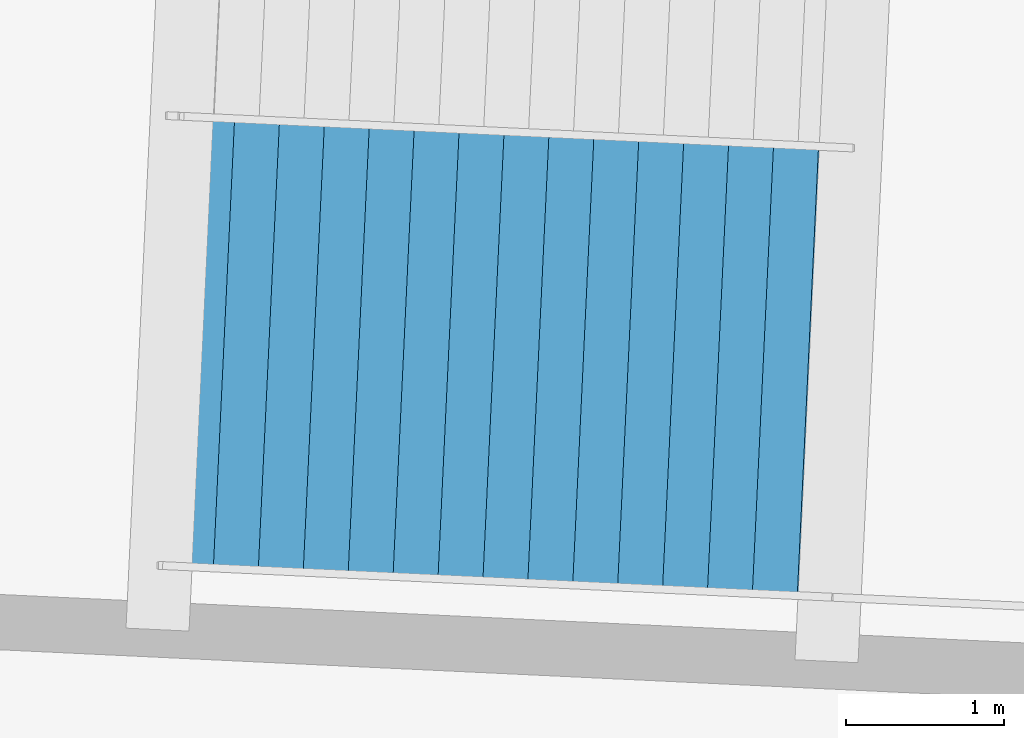
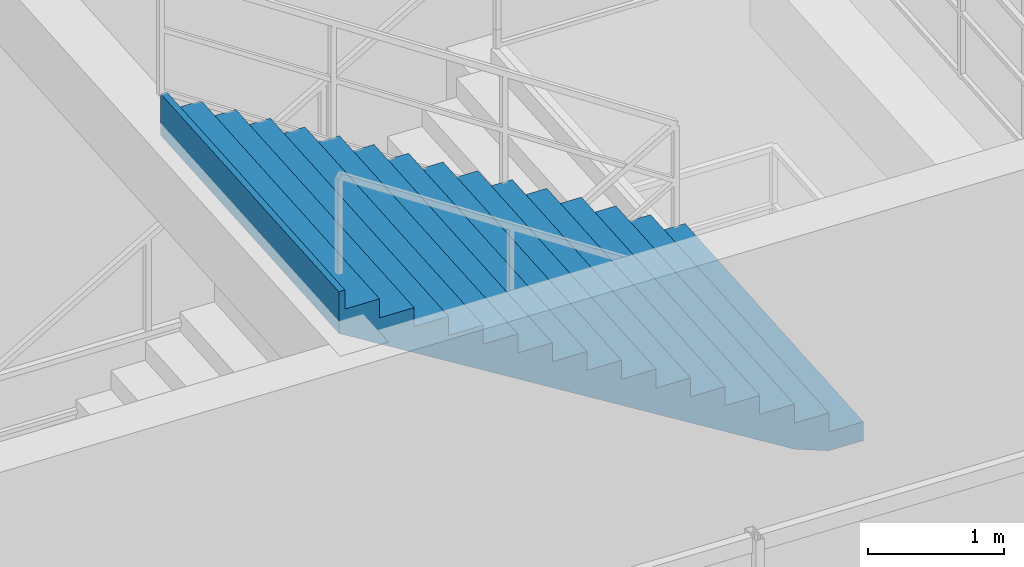
# One storey, part 146 of 186: 1 stair flight, 1 element without a shape of its own.
"""IFC4 building model written with IfcOpenShell, lengths in metres."""

from ifc_helpers import new_model, si_unit, direction, frame, origin, place, context, subcontext, project, spatial, polygons, material, type_object, element, aggregate, save


model = new_model("IFC4")

# Units and contexts
model_context = context("Model", 3, precision=1e-05, world=origin(), true_north=direction((0.0, 1.0)))
body_context = subcontext(model_context, "Body", "Model", "MODEL_VIEW")
ifc_project = project(units=[si_unit("LENGTHUNIT", "METRE"), si_unit("AREAUNIT", "SQUARE_METRE"), si_unit("VOLUMEUNIT", "CUBIC_METRE"), si_unit("PLANEANGLEUNIT", "RADIAN"), si_unit("MASSUNIT", "GRAM", prefix="KILO")], contexts=[model_context])

# Site, building, storey
site_placement = place(None, origin())
site = spatial("IfcSite", under=ifc_project, at=site_placement, CompositionType="ELEMENT")
building_placement = place(site_placement, origin())
building = spatial("IfcBuilding", under=site, at=building_placement, Name="Kazemori Nagisa Stadium", CompositionType="ELEMENT")
storey_placement = place(building_placement, frame((0.0, 0.0, 20.39990234375)))
storey = spatial("IfcBuildingStorey", under=building, at=storey_placement, Name="L04", CompositionType="ELEMENT", Elevation=20.39990234375)

# Stair, stair flight
ifc_material = material(Name="Concrete C36/45 (Fc36)", Category="concrete")
stair_type = type_object("IfcStairType", Name="Stair_CORE_32", PredefinedType="TWO_STRAIGHT_RUN_STAIR", material=ifc_material)
stair_placement = place(storey_placement, origin())
stair = element("IfcStair", 1, at=stair_placement, inside=storey, type_object=stair_type, Name="Exit stair ST12 L04", PredefinedType="TWO_STRAIGHT_RUN_STAIR")
stair_flight_type = type_object("IfcStairFlightType", Name="Flight_CORE_16", PredefinedType="STRAIGHT", material=ifc_material)
stair_flight_placement = place(storey_placement, frame((111.443115234375, 20.96044921875, 2.72021484375), z_axis=(0.0, 0.0, 1.0), x_axis=(-0.99888410244, 0.047228697771, 0.0)))
stair_flight = element("IfcStairFlight", 2, at=stair_flight_placement, type_object=stair_flight_type, Name="Exit stair ST12 L04 flight 2", NumberOfRisers=16, NumberOfTreads=15, PredefinedType="STRAIGHT", RiserHeight=0.17, TreadLength=0.285, context=body_context, shape_type="Tessellation", body=[
    polygons([(0.0, -1.425048828125, 0.0), (0.0, -1.425048828125, 0.169921875), (0.284912109375, -1.425048828125, 0.169921875), (0.284912109375, -1.425048828125, 0.340087890625), (0.570068359375, -1.425048828125, 0.340087890625), (0.570068359375, -1.425048828125, 0.510009765625), (0.85498046875, -1.425048828125, 0.510009765625), (0.85498046875, -1.425048828125, 0.679931640625), (1.139892578125, -1.425048828125, 0.679931640625), (1.139892578125, -1.425048828125, 0.85009765625), (1.425048828125, -1.425048828125, 0.85009765625), (1.425048828125, -1.425048828125, 1.02001953125), (1.7099609375, -1.425048828125, 1.02001953125), (1.7099609375, -1.425048828125, 1.18994140625), (1.9951171875, -1.425048828125, 1.18994140625), (1.9951171875, -1.425048828125, 1.360107421875), (2.280029296875, -1.425048828125, 1.360107421875), (2.280029296875, -1.425048828125, 1.530029296875), (2.56494140625, -1.425048828125, 1.530029296875), (2.56494140625, -1.425048828125, 1.699951171875), (2.85009765625, -1.425048828125, 1.699951171875), (2.85009765625, -1.425048828125, 1.8701171875), (3.135009765625, -1.425048828125, 1.8701171875), (3.135009765625, -1.425048828125, 2.0400390625), (3.419921875, -1.425048828125, 2.0400390625), (3.419921875, -1.425048828125, 2.2099609375), (3.705078125, -1.425048828125, 2.2099609375), (3.705078125, -1.425048828125, 2.3798828125), (3.989990234375, -1.425048828125, 2.3798828125), (3.989990234375, -1.425048828125, 2.550048828125), (4.27490234375, -1.425048828125, 2.550048828125), (4.27490234375, -1.425048828125, 2.719970703125), (4.324951171875, -1.425048828125, 2.719970703125), (4.324951171875, -1.425048828125, 2.346923828125), (4.27490234375, -1.425048828125, 2.317138671875), (3.989990234375, -1.425048828125, 2.147216796875), (3.705078125, -1.425048828125, 1.977294921875), (3.419921875, -1.425048828125, 1.80712890625), (3.135009765625, -1.425048828125, 1.63720703125), (2.85009765625, -1.425048828125, 1.46728515625), (2.56494140625, -1.425048828125, 1.297119140625), (2.280029296875, -1.425048828125, 1.127197265625), (1.9951171875, -1.425048828125, 0.957275390625), (1.7099609375, -1.425048828125, 0.787109375), (1.425048828125, -1.425048828125, 0.6171875), (1.139892578125, -1.425048828125, 0.447265625), (0.85498046875, -1.425048828125, 0.277099609375), (0.570068359375, -1.425048828125, 0.107177734375), (0.284912109375, -1.425048828125, 0.0), (0.0, -0.08544921875, 0.0), (0.0, -0.08544921875, 0.169921875), (0.284912109375, -0.08544921875, 0.169921875), (0.284912109375, -0.08544921875, 0.340087890625), (0.570068359375, -0.08544921875, 0.340087890625), (0.570068359375, -0.08544921875, 0.510009765625), (0.85498046875, -0.08544921875, 0.510009765625), (0.85498046875, -0.08544921875, 0.679931640625), (1.139892578125, -0.08544921875, 0.679931640625), (1.139892578125, -0.08544921875, 0.85009765625), (1.425048828125, -0.08544921875, 0.85009765625), (1.425048828125, -0.08544921875, 1.02001953125), (1.7099609375, -0.08544921875, 1.02001953125), (1.7099609375, -0.08544921875, 1.18994140625), (1.9951171875, -0.08544921875, 1.18994140625), (1.9951171875, -0.08544921875, 1.360107421875), (2.280029296875, -0.08544921875, 1.360107421875), (2.280029296875, -0.08544921875, 1.530029296875), (2.56494140625, -0.08544921875, 1.530029296875), (2.56494140625, -0.08544921875, 1.699951171875), (2.85009765625, -0.08544921875, 1.699951171875), (2.85009765625, -0.08544921875, 1.8701171875), (3.135009765625, -0.08544921875, 1.8701171875), (3.135009765625, -0.08544921875, 2.0400390625), (3.419921875, -0.08544921875, 2.0400390625), (3.419921875, -0.08544921875, 2.2099609375), (3.705078125, -0.08544921875, 2.2099609375), (3.705078125, -0.08544921875, 2.3798828125), (3.989990234375, -0.08544921875, 2.3798828125), (3.989990234375, -0.08544921875, 2.550048828125), (4.27490234375, -0.08544921875, 2.550048828125), (4.27490234375, -0.08544921875, 2.719970703125), (4.324951171875, -0.08544921875, 2.719970703125), (4.324951171875, -0.08544921875, 2.346923828125), (4.27490234375, -0.08544921875, 2.317138671875), (3.989990234375, -0.08544921875, 2.147216796875), (3.705078125, -0.08544921875, 1.977294921875), (3.419921875, -0.08544921875, 1.80712890625), (3.135009765625, -0.08544921875, 1.63720703125), (2.85009765625, -0.08544921875, 1.46728515625), (2.56494140625, -0.08544921875, 1.297119140625), (2.280029296875, -0.08544921875, 1.127197265625), (1.9951171875, -0.08544921875, 0.957275390625), (1.7099609375, -0.08544921875, 0.787109375), (1.425048828125, -0.08544921875, 0.6171875), (1.139892578125, -0.08544921875, 0.447265625), (0.85498046875, -0.08544921875, 0.277099609375), (0.570068359375, -0.08544921875, 0.107177734375), (0.284912109375, -0.08544921875, 0.0), (0.0, 0.0, 0.0), (0.0, 0.0, 0.169921875), (0.284912109375, 0.0, 0.169921875), (0.284912109375, 0.0, 0.340087890625), (0.570068359375, 0.0, 0.340087890625), (0.570068359375, 0.0, 0.510009765625), (0.85498046875, 0.0, 0.510009765625), (0.85498046875, 0.0, 0.679931640625), (1.139892578125, 0.0, 0.679931640625), (1.139892578125, 0.0, 0.85009765625), (1.425048828125, 0.0, 0.85009765625), (1.425048828125, 0.0, 1.02001953125), (1.7099609375, 0.0, 1.02001953125), (1.7099609375, 0.0, 1.18994140625), (1.9951171875, 0.0, 1.18994140625), (1.9951171875, 0.0, 1.360107421875), (2.280029296875, 0.0, 1.360107421875), (2.280029296875, 0.0, 1.530029296875), (2.56494140625, 0.0, 1.530029296875), (2.56494140625, 0.0, 1.699951171875), (2.85009765625, 0.0, 1.699951171875), (2.85009765625, 0.0, 1.8701171875), (3.135009765625, 0.0, 1.8701171875), (3.135009765625, 0.0, 2.0400390625), (3.419921875, 0.0, 2.0400390625), (3.419921875, 0.0, 2.2099609375), (3.705078125, 0.0, 2.2099609375), (3.705078125, 0.0, 2.3798828125), (3.989990234375, 0.0, 2.3798828125), (3.989990234375, 0.0, 2.550048828125), (4.27490234375, 0.0, 2.550048828125), (4.27490234375, 0.0, 2.719970703125), (4.324951171875, 0.0, 2.719970703125), (4.324951171875, 0.0, 2.346923828125), (4.27490234375, 0.0, 2.317138671875), (3.989990234375, 0.0, 2.147216796875), (3.705078125, 0.0, 1.977294921875), (3.419921875, 0.0, 1.80712890625), (3.135009765625, 0.0, 1.63720703125), (2.85009765625, 0.0, 1.46728515625), (2.56494140625, 0.0, 1.297119140625), (2.280029296875, 0.0, 1.127197265625), (1.9951171875, 0.0, 0.957275390625), (1.7099609375, 0.0, 0.787109375), (1.425048828125, 0.0, 0.6171875), (1.139892578125, 0.0, 0.447265625), (0.85498046875, 0.0, 0.277099609375), (0.570068359375, 0.0, 0.107177734375), (0.284912109375, 0.0, 0.0), (0.0, 0.08544921875, 0.0), (0.0, 0.08544921875, 0.169921875), (0.284912109375, 0.08544921875, 0.169921875), (0.284912109375, 0.08544921875, 0.340087890625), (0.570068359375, 0.08544921875, 0.340087890625), (0.570068359375, 0.08544921875, 0.510009765625), (0.85498046875, 0.08544921875, 0.510009765625), (0.85498046875, 0.08544921875, 0.679931640625), (1.139892578125, 0.08544921875, 0.679931640625), (1.139892578125, 0.08544921875, 0.85009765625), (1.425048828125, 0.08544921875, 0.85009765625), (1.425048828125, 0.08544921875, 1.02001953125), (1.7099609375, 0.08544921875, 1.02001953125), (1.7099609375, 0.08544921875, 1.18994140625), (1.9951171875, 0.08544921875, 1.18994140625), (1.9951171875, 0.08544921875, 1.360107421875), (2.280029296875, 0.08544921875, 1.360107421875), (2.280029296875, 0.08544921875, 1.530029296875), (2.56494140625, 0.08544921875, 1.530029296875), (2.56494140625, 0.08544921875, 1.699951171875), (2.85009765625, 0.08544921875, 1.699951171875), (2.85009765625, 0.08544921875, 1.8701171875), (3.135009765625, 0.08544921875, 1.8701171875), (3.135009765625, 0.08544921875, 2.0400390625), (3.419921875, 0.08544921875, 2.0400390625), (3.419921875, 0.08544921875, 2.2099609375), (3.705078125, 0.08544921875, 2.2099609375), (3.705078125, 0.08544921875, 2.3798828125), (3.989990234375, 0.08544921875, 2.3798828125), (3.989990234375, 0.08544921875, 2.550048828125), (4.27490234375, 0.08544921875, 2.550048828125), (4.27490234375, 0.08544921875, 2.719970703125), (4.324951171875, 0.08544921875, 2.719970703125), (4.324951171875, 0.08544921875, 2.346923828125), (4.27490234375, 0.08544921875, 2.317138671875), (3.989990234375, 0.08544921875, 2.147216796875), (3.705078125, 0.08544921875, 1.977294921875), (3.419921875, 0.08544921875, 1.80712890625), (3.135009765625, 0.08544921875, 1.63720703125), (2.85009765625, 0.08544921875, 1.46728515625), (2.56494140625, 0.08544921875, 1.297119140625), (2.280029296875, 0.08544921875, 1.127197265625), (1.9951171875, 0.08544921875, 0.957275390625), (1.7099609375, 0.08544921875, 0.787109375), (1.425048828125, 0.08544921875, 0.6171875), (1.139892578125, 0.08544921875, 0.447265625), (0.85498046875, 0.08544921875, 0.277099609375), (0.570068359375, 0.08544921875, 0.107177734375), (0.284912109375, 0.08544921875, 0.0), (0.0, 1.425048828125, 0.0), (0.0, 1.425048828125, 0.169921875), (0.284912109375, 1.425048828125, 0.169921875), (0.284912109375, 1.425048828125, 0.340087890625), (0.570068359375, 1.425048828125, 0.340087890625), (0.570068359375, 1.425048828125, 0.510009765625), (0.85498046875, 1.425048828125, 0.510009765625), (0.85498046875, 1.425048828125, 0.679931640625), (1.139892578125, 1.425048828125, 0.679931640625), (1.139892578125, 1.425048828125, 0.85009765625), (1.425048828125, 1.425048828125, 0.85009765625), (1.425048828125, 1.425048828125, 1.02001953125), (1.7099609375, 1.425048828125, 1.02001953125), (1.7099609375, 1.425048828125, 1.18994140625), (1.9951171875, 1.425048828125, 1.18994140625), (1.9951171875, 1.425048828125, 1.360107421875), (2.280029296875, 1.425048828125, 1.360107421875), (2.280029296875, 1.425048828125, 1.530029296875), (2.56494140625, 1.425048828125, 1.530029296875), (2.56494140625, 1.425048828125, 1.699951171875), (2.85009765625, 1.425048828125, 1.699951171875), (2.85009765625, 1.425048828125, 1.8701171875), (3.135009765625, 1.425048828125, 1.8701171875), (3.135009765625, 1.425048828125, 2.0400390625), (3.419921875, 1.425048828125, 2.0400390625), (3.419921875, 1.425048828125, 2.2099609375), (3.705078125, 1.425048828125, 2.2099609375), (3.705078125, 1.425048828125, 2.3798828125), (3.989990234375, 1.425048828125, 2.3798828125), (3.989990234375, 1.425048828125, 2.550048828125), (4.27490234375, 1.425048828125, 2.550048828125), (4.27490234375, 1.425048828125, 2.719970703125), (4.324951171875, 1.425048828125, 2.719970703125), (4.324951171875, 1.425048828125, 2.346923828125), (4.27490234375, 1.425048828125, 2.317138671875), (3.989990234375, 1.425048828125, 2.147216796875), (3.705078125, 1.425048828125, 1.977294921875), (3.419921875, 1.425048828125, 1.80712890625), (3.135009765625, 1.425048828125, 1.63720703125), (2.85009765625, 1.425048828125, 1.46728515625), (2.56494140625, 1.425048828125, 1.297119140625), (2.280029296875, 1.425048828125, 1.127197265625), (1.9951171875, 1.425048828125, 0.957275390625), (1.7099609375, 1.425048828125, 0.787109375), (1.425048828125, 1.425048828125, 0.6171875), (1.139892578125, 1.425048828125, 0.447265625), (0.85498046875, 1.425048828125, 0.277099609375), (0.570068359375, 1.425048828125, 0.107177734375), (0.284912109375, 1.425048828125, 0.0)], [[[1, 2, 51]], [[1, 51, 50]], [[2, 3, 52]], [[2, 52, 51]], [[3, 4, 53]], [[3, 53, 52]], [[4, 5, 54]], [[4, 54, 53]], [[5, 6, 55]], [[5, 55, 54]], [[6, 7, 56]], [[6, 56, 55]], [[7, 8, 57]], [[7, 57, 56]], [[8, 9, 58]], [[8, 58, 57]], [[9, 10, 59]], [[9, 59, 58]], [[10, 11, 60]], [[10, 60, 59]], [[11, 12, 61]], [[11, 61, 60]], [[12, 13, 62]], [[12, 62, 61]], [[13, 14, 63]], [[13, 63, 62]], [[14, 15, 64]], [[14, 64, 63]], [[15, 16, 65]], [[15, 65, 64]], [[16, 17, 66]], [[16, 66, 65]], [[17, 18, 67]], [[17, 67, 66]], [[18, 19, 68]], [[18, 68, 67]], [[19, 20, 69]], [[19, 69, 68]], [[20, 21, 70]], [[20, 70, 69]], [[21, 22, 71]], [[21, 71, 70]], [[22, 23, 72]], [[22, 72, 71]], [[23, 24, 73]], [[23, 73, 72]], [[24, 25, 74]], [[24, 74, 73]], [[25, 26, 75]], [[25, 75, 74]], [[26, 27, 76]], [[26, 76, 75]], [[27, 28, 77]], [[27, 77, 76]], [[28, 29, 78]], [[28, 78, 77]], [[29, 30, 79]], [[29, 79, 78]], [[30, 31, 80]], [[30, 80, 79]], [[31, 32, 81]], [[31, 81, 80]], [[32, 33, 82]], [[32, 82, 81]], [[33, 34, 83]], [[33, 83, 82]], [[34, 35, 84]], [[34, 84, 83]], [[35, 36, 85]], [[35, 85, 84]], [[36, 37, 86]], [[36, 86, 85]], [[37, 38, 87]], [[37, 87, 86]], [[38, 39, 88]], [[38, 88, 87]], [[39, 40, 89]], [[39, 89, 88]], [[40, 41, 90]], [[40, 90, 89]], [[41, 42, 91]], [[41, 91, 90]], [[42, 43, 92]], [[42, 92, 91]], [[43, 44, 93]], [[43, 93, 92]], [[44, 45, 94]], [[44, 94, 93]], [[45, 46, 95]], [[45, 95, 94]], [[46, 47, 96]], [[46, 96, 95]], [[47, 48, 97]], [[47, 97, 96]], [[48, 49, 98]], [[48, 98, 97]], [[49, 1, 50]], [[49, 50, 98]], [[50, 51, 100]], [[50, 100, 99]], [[51, 52, 101]], [[51, 101, 100]], [[52, 53, 102]], [[52, 102, 101]], [[53, 54, 103]], [[53, 103, 102]], [[54, 55, 104]], [[54, 104, 103]], [[55, 56, 105]], [[55, 105, 104]], [[56, 57, 106]], [[56, 106, 105]], [[57, 58, 107]], [[57, 107, 106]], [[58, 59, 108]], [[58, 108, 107]], [[59, 60, 109]], [[59, 109, 108]], [[60, 61, 110]], [[60, 110, 109]], [[61, 62, 111]], [[61, 111, 110]], [[62, 63, 112]], [[62, 112, 111]], [[63, 64, 113]], [[63, 113, 112]], [[64, 65, 114]], [[64, 114, 113]], [[65, 66, 115]], [[65, 115, 114]], [[66, 67, 116]], [[66, 116, 115]], [[67, 68, 117]], [[67, 117, 116]], [[68, 69, 118]], [[68, 118, 117]], [[69, 70, 119]], [[69, 119, 118]], [[70, 71, 120]], [[70, 120, 119]], [[71, 72, 121]], [[71, 121, 120]], [[72, 73, 122]], [[72, 122, 121]], [[73, 74, 123]], [[73, 123, 122]], [[74, 75, 124]], [[74, 124, 123]], [[75, 76, 125]], [[75, 125, 124]], [[76, 77, 126]], [[76, 126, 125]], [[77, 78, 127]], [[77, 127, 126]], [[78, 79, 128]], [[78, 128, 127]], [[79, 80, 129]], [[79, 129, 128]], [[80, 81, 130]], [[80, 130, 129]], [[81, 82, 131]], [[81, 131, 130]], [[82, 83, 132]], [[82, 132, 131]], [[83, 84, 133]], [[83, 133, 132]], [[84, 85, 134]], [[84, 134, 133]], [[85, 86, 135]], [[85, 135, 134]], [[86, 87, 136]], [[86, 136, 135]], [[87, 88, 137]], [[87, 137, 136]], [[88, 89, 138]], [[88, 138, 137]], [[89, 90, 139]], [[89, 139, 138]], [[90, 91, 140]], [[90, 140, 139]], [[91, 92, 141]], [[91, 141, 140]], [[92, 93, 142]], [[92, 142, 141]], [[93, 94, 143]], [[93, 143, 142]], [[94, 95, 144]], [[94, 144, 143]], [[95, 96, 145]], [[95, 145, 144]], [[96, 97, 146]], [[96, 146, 145]], [[97, 98, 147]], [[97, 147, 146]], [[98, 50, 99]], [[98, 99, 147]], [[99, 100, 149]], [[99, 149, 148]], [[100, 101, 150]], [[100, 150, 149]], [[101, 102, 151]], [[101, 151, 150]], [[102, 103, 152]], [[102, 152, 151]], [[103, 104, 153]], [[103, 153, 152]], [[104, 105, 154]], [[104, 154, 153]], [[105, 106, 155]], [[105, 155, 154]], [[106, 107, 156]], [[106, 156, 155]], [[107, 108, 157]], [[107, 157, 156]], [[108, 109, 158]], [[108, 158, 157]], [[109, 110, 159]], [[109, 159, 158]], [[110, 111, 160]], [[110, 160, 159]], [[111, 112, 161]], [[111, 161, 160]], [[112, 113, 162]], [[112, 162, 161]], [[113, 114, 163]], [[113, 163, 162]], [[114, 115, 164]], [[114, 164, 163]], [[115, 116, 165]], [[115, 165, 164]], [[116, 117, 166]], [[116, 166, 165]], [[117, 118, 167]], [[117, 167, 166]], [[118, 119, 168]], [[118, 168, 167]], [[119, 120, 169]], [[119, 169, 168]], [[120, 121, 170]], [[120, 170, 169]], [[121, 122, 171]], [[121, 171, 170]], [[122, 123, 172]], [[122, 172, 171]], [[123, 124, 173]], [[123, 173, 172]], [[124, 125, 174]], [[124, 174, 173]], [[125, 126, 175]], [[125, 175, 174]], [[126, 127, 176]], [[126, 176, 175]], [[127, 128, 177]], [[127, 177, 176]], [[128, 129, 178]], [[128, 178, 177]], [[129, 130, 179]], [[129, 179, 178]], [[130, 131, 180]], [[130, 180, 179]], [[131, 132, 181]], [[131, 181, 180]], [[132, 133, 182]], [[132, 182, 181]], [[133, 134, 183]], [[133, 183, 182]], [[134, 135, 184]], [[134, 184, 183]], [[135, 136, 185]], [[135, 185, 184]], [[136, 137, 186]], [[136, 186, 185]], [[137, 138, 187]], [[137, 187, 186]], [[138, 139, 188]], [[138, 188, 187]], [[139, 140, 189]], [[139, 189, 188]], [[140, 141, 190]], [[140, 190, 189]], [[141, 142, 191]], [[141, 191, 190]], [[142, 143, 192]], [[142, 192, 191]], [[143, 144, 193]], [[143, 193, 192]], [[144, 145, 194]], [[144, 194, 193]], [[145, 146, 195]], [[145, 195, 194]], [[146, 147, 196]], [[146, 196, 195]], [[147, 99, 148]], [[147, 148, 196]], [[148, 149, 198]], [[148, 198, 197]], [[149, 150, 199]], [[149, 199, 198]], [[150, 151, 200]], [[150, 200, 199]], [[151, 152, 201]], [[151, 201, 200]], [[152, 153, 202]], [[152, 202, 201]], [[153, 154, 203]], [[153, 203, 202]], [[154, 155, 204]], [[154, 204, 203]], [[155, 156, 205]], [[155, 205, 204]], [[156, 157, 206]], [[156, 206, 205]], [[157, 158, 207]], [[157, 207, 206]], [[158, 159, 208]], [[158, 208, 207]], [[159, 160, 209]], [[159, 209, 208]], [[160, 161, 210]], [[160, 210, 209]], [[161, 162, 211]], [[161, 211, 210]], [[162, 163, 212]], [[162, 212, 211]], [[163, 164, 213]], [[163, 213, 212]], [[164, 165, 214]], [[164, 214, 213]], [[165, 166, 215]], [[165, 215, 214]], [[166, 167, 216]], [[166, 216, 215]], [[167, 168, 217]], [[167, 217, 216]], [[168, 169, 218]], [[168, 218, 217]], [[169, 170, 219]], [[169, 219, 218]], [[170, 171, 220]], [[170, 220, 219]], [[171, 172, 221]], [[171, 221, 220]], [[172, 173, 222]], [[172, 222, 221]], [[173, 174, 223]], [[173, 223, 222]], [[174, 175, 224]], [[174, 224, 223]], [[175, 176, 225]], [[175, 225, 224]], [[176, 177, 226]], [[176, 226, 225]], [[177, 178, 227]], [[177, 227, 226]], [[178, 179, 228]], [[178, 228, 227]], [[179, 180, 229]], [[179, 229, 228]], [[180, 181, 230]], [[180, 230, 229]], [[181, 182, 231]], [[181, 231, 230]], [[182, 183, 232]], [[182, 232, 231]], [[183, 184, 233]], [[183, 233, 232]], [[184, 185, 234]], [[184, 234, 233]], [[185, 186, 235]], [[185, 235, 234]], [[186, 187, 236]], [[186, 236, 235]], [[187, 188, 237]], [[187, 237, 236]], [[188, 189, 238]], [[188, 238, 237]], [[189, 190, 239]], [[189, 239, 238]], [[190, 191, 240]], [[190, 240, 239]], [[191, 192, 241]], [[191, 241, 240]], [[192, 193, 242]], [[192, 242, 241]], [[193, 194, 243]], [[193, 243, 242]], [[194, 195, 244]], [[194, 244, 243]], [[195, 196, 245]], [[195, 245, 244]], [[196, 148, 197]], [[196, 197, 245]], [[3, 2, 1]], [[197, 198, 199]], [[49, 3, 1]], [[197, 199, 245]], [[48, 3, 49]], [[245, 199, 244]], [[5, 3, 48]], [[244, 199, 201]], [[5, 4, 3]], [[199, 200, 201]], [[47, 5, 48]], [[244, 201, 243]], [[7, 5, 47]], [[243, 201, 203]], [[7, 6, 5]], [[201, 202, 203]], [[46, 7, 47]], [[243, 203, 242]], [[9, 7, 46]], [[242, 203, 205]], [[9, 8, 7]], [[203, 204, 205]], [[45, 9, 46]], [[242, 205, 241]], [[11, 9, 45]], [[241, 205, 207]], [[11, 10, 9]], [[205, 206, 207]], [[44, 11, 45]], [[241, 207, 240]], [[13, 11, 44]], [[240, 207, 209]], [[13, 12, 11]], [[207, 208, 209]], [[43, 13, 44]], [[240, 209, 239]], [[15, 13, 43]], [[239, 209, 211]], [[15, 14, 13]], [[209, 210, 211]], [[42, 15, 43]], [[239, 211, 238]], [[17, 15, 42]], [[238, 211, 213]], [[17, 16, 15]], [[211, 212, 213]], [[41, 17, 42]], [[238, 213, 237]], [[19, 17, 41]], [[237, 213, 215]], [[19, 18, 17]], [[213, 214, 215]], [[40, 19, 41]], [[237, 215, 236]], [[21, 19, 40]], [[236, 215, 217]], [[21, 20, 19]], [[215, 216, 217]], [[39, 21, 40]], [[236, 217, 235]], [[23, 21, 39]], [[235, 217, 219]], [[23, 22, 21]], [[217, 218, 219]], [[38, 23, 39]], [[235, 219, 234]], [[25, 23, 38]], [[234, 219, 221]], [[25, 24, 23]], [[219, 220, 221]], [[37, 25, 38]], [[234, 221, 233]], [[27, 25, 37]], [[233, 221, 223]], [[27, 26, 25]], [[221, 222, 223]], [[36, 27, 37]], [[233, 223, 232]], [[29, 27, 36]], [[232, 223, 225]], [[29, 28, 27]], [[223, 224, 225]], [[35, 29, 36]], [[232, 225, 231]], [[31, 29, 35]], [[231, 225, 227]], [[31, 30, 29]], [[225, 226, 227]], [[34, 31, 35]], [[231, 227, 230]], [[33, 31, 34]], [[230, 227, 229]], [[33, 32, 31]], [[227, 228, 229]]], closed=True),
])
aggregate(stair, [stair_flight])

save(model, "model.ifc")
